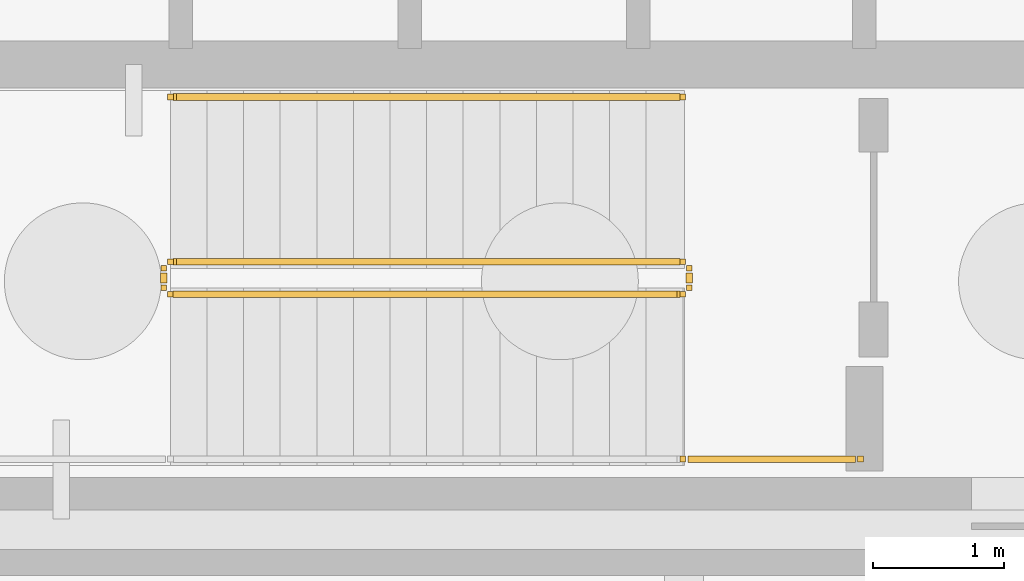
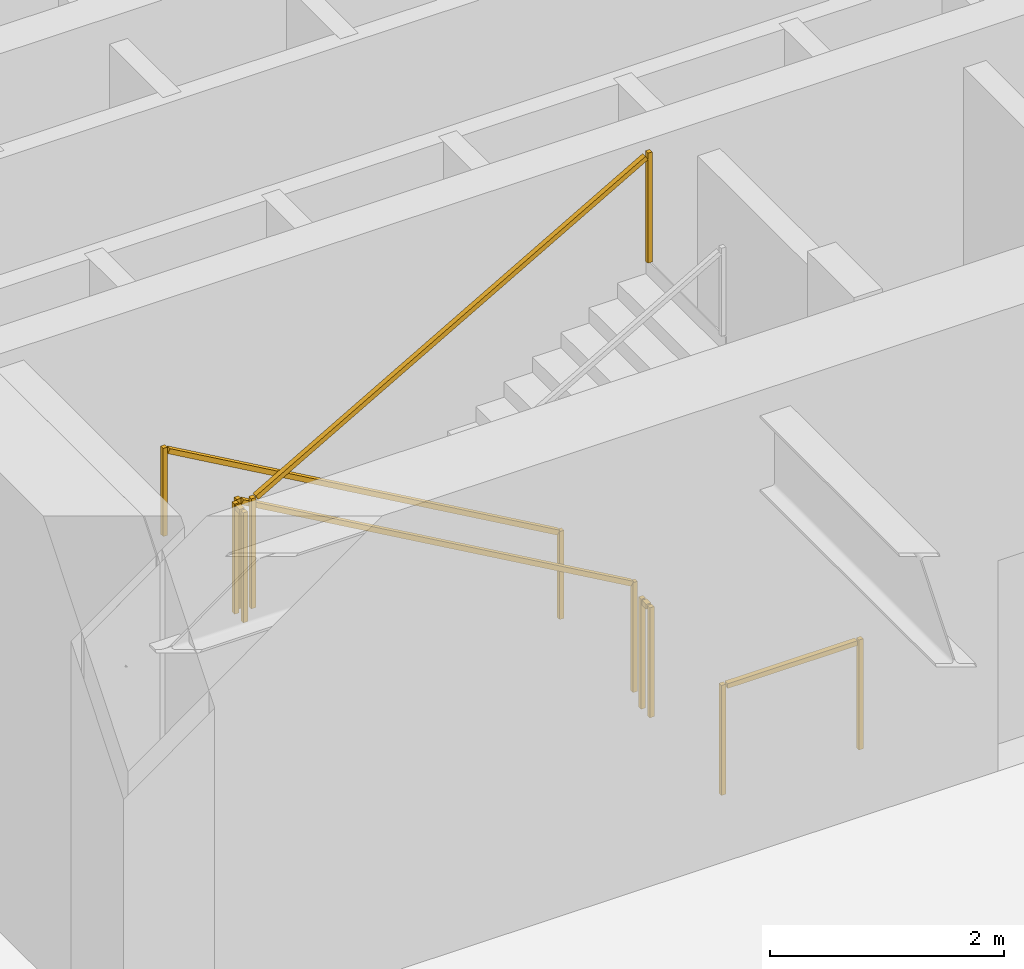
# One storey, part 10 of 14: 6 railings.
"""IFC4 building model written with IfcOpenShell, lengths in metres."""

from ifc_helpers import new_model, si_unit, direction, frame, origin, origin_2d, place, context, subcontext, project, spatial, rectangle, extrude, material, type_object, element, save


model = new_model("IFC4")

# Units and contexts
model_context = context("Model", 3, precision=1e-05, world=origin(), true_north=direction((0.0, 1.0)))
body_context = subcontext(model_context, "Body", "Model", "MODEL_VIEW")
ifc_project = project(units=[si_unit("LENGTHUNIT", "METRE"), si_unit("AREAUNIT", "SQUARE_METRE"), si_unit("VOLUMEUNIT", "CUBIC_METRE"), si_unit("PLANEANGLEUNIT", "RADIAN"), si_unit("MASSUNIT", "GRAM", prefix="KILO")], contexts=[model_context])

# Site, building, storey
site_placement = place(None, origin())
site = spatial("IfcSite", under=ifc_project, at=site_placement, CompositionType="ELEMENT")
building_placement = place(site_placement, origin())
building = spatial("IfcBuilding", under=site, at=building_placement, Name="Yunling Apex Tower", CompositionType="ELEMENT")
storey_placement = place(building_placement, frame((0.0, 0.0, -9.60009765625)))
storey = spatial("IfcBuildingStorey", under=building, at=storey_placement, Name="B02", CompositionType="ELEMENT", Elevation=-9.60009765625)

# Railings
ifc_material_1 = material(Name="Steel Q355B", Category="steel")
railing_type_1 = type_object("IfcRailingType", Name="RL-GRD-1150", PredefinedType="GUARDRAIL", material=ifc_material_1)
railing_1_placement = place(storey_placement, frame((-0.010009765625, -3.449951171875, 0.16015625)))
element("IfcRailing", 1, at=railing_1_placement, inside=storey, type_object=railing_type_1, Name="B02 ST-2 stair guard 1", PredefinedType="GUARDRAIL", context=body_context, shape_type="SweptSolid", body=[
    extrude(rectangle(XDim=0.0439453125, YDim=0.0439453125, at=origin_2d()), origin(), (0.0, 0.0, 1.0), 1.14990234375),
    extrude(rectangle(XDim=0.0439453125, YDim=0.0439453125, at=origin_2d()), frame((-3.919921875, 0.0, 2.239990234375)), (0.0, 0.0, 1.0), 1.14990234375),
    extrude(rectangle(XDim=0.050048828125, YDim=0.050048828125, at=origin_2d()), frame((-0.033203125, 0.0, 1.143798828125), z_axis=(-0.868239814368, 0.0, 0.496144761885), x_axis=(0.0, -1.0, 0.0)), (0.0, 0.0, 1.0), 4.438232421875),
])
railing_2_placement = place(storey_placement, frame((-3.97998046875, -3.5, 2.400146484375)))
element("IfcRailing", 2, at=railing_2_placement, inside=storey, type_object=railing_type_1, Name="B02 ST-2 stair guard 2", PredefinedType="GUARDRAIL", context=body_context, shape_type="SweptSolid", body=[
    extrude(rectangle(XDim=0.0439453125, YDim=0.0439453125, at=origin_2d()), origin(), (0.0, 0.0, 1.0), 1.14990234375),
    extrude(rectangle(XDim=0.0439453125, YDim=0.0439453125, at=origin_2d()), frame((0.0, -0.14990234375, 0.0)), (0.0, 0.0, 1.0), 1.14990234375),
    extrude(rectangle(XDim=0.050048828125, YDim=0.050048828125, at=origin_2d()), frame((0.0, -0.038330078125, 1.125), z_axis=(0.0, -1.0, 0.0), x_axis=(1.0, 0.0, 0.0)), (0.0, 0.0, 1.0), 0.0732421875),
])
railing_3_placement = place(storey_placement, frame((-3.929931640625, -3.699951171875, 2.56005859375)))
element("IfcRailing", 3, at=railing_3_placement, inside=storey, type_object=railing_type_1, Name="B02 ST-2 stair guard 4", PredefinedType="GUARDRAIL", context=body_context, shape_type="SweptSolid", body=[
    extrude(rectangle(XDim=0.0439453125, YDim=0.0439453125, at=origin_2d()), origin(), (0.0, 0.0, 1.0), 1.14990234375),
    extrude(rectangle(XDim=0.0439453125, YDim=0.0439453125, at=origin_2d()), frame((3.919921875, 0.0, 2.239990234375)), (0.0, 0.0, 1.0), 1.14990234375),
    extrude(rectangle(XDim=0.050048828125, YDim=0.050048828125, at=origin_2d()), frame((0.033203125, 0.0, 1.143798828125), z_axis=(0.868239814368, 0.0, 0.496144761885), x_axis=(0.0, 1.0, 0.0)), (0.0, 0.0, 1.0), 4.438232421875),
])
railing_4_placement = place(storey_placement, frame((0.0400390625, -3.5, 0.0)))
element("IfcRailing", 4, at=railing_4_placement, inside=storey, type_object=railing_type_1, Name="B02 ST-2 stair guard 5", PredefinedType="GUARDRAIL", context=body_context, shape_type="SweptSolid", body=[
    extrude(rectangle(XDim=0.0439453125, YDim=0.0439453125, at=origin_2d()), origin(), (0.0, 0.0, 1.0), 1.14990234375),
    extrude(rectangle(XDim=0.0439453125, YDim=0.0439453125, at=origin_2d()), frame((0.0, -0.14990234375, 0.0)), (0.0, 0.0, 1.0), 1.14990234375),
    extrude(rectangle(XDim=0.050048828125, YDim=0.050048828125, at=origin_2d()), frame((0.0, -0.038330078125, 1.125), z_axis=(0.0, -1.0, 0.0), x_axis=(1.0, 0.0, 0.0)), (0.0, 0.0, 1.0), 0.0732421875),
])
railing_5_placement = place(storey_placement, frame((1.35009765625, -4.9599609375, 0.0)))
element("IfcRailing", 5, at=railing_5_placement, inside=storey, type_object=railing_type_1, Name="B02 ST-2 stair guard 6", PredefinedType="GUARDRAIL", context=body_context, shape_type="SweptSolid", body=[
    extrude(rectangle(XDim=0.0439453125, YDim=0.0439453125, at=origin_2d()), origin(), (0.0, 0.0, 1.0), 1.14990234375),
    extrude(rectangle(XDim=0.0439453125, YDim=0.0439453125, at=origin_2d()), frame((-1.360107421875, 0.0, 0.0)), (0.0, 0.0, 1.0), 1.14990234375),
    extrude(rectangle(XDim=0.050048828125, YDim=0.050048828125, at=origin_2d()), frame((-0.038330078125, 0.0, 1.125), z_axis=(-1.0, 0.0, 0.0), x_axis=(0.0, -1.0, 0.0)), (0.0, 0.0, 1.0), 1.283447265625),
])
ifc_material_2 = material(Name="Silver anodised aluminium", Category="aluminium")
railing_type_2 = type_object("IfcRailingType", Name="RL-HND-900", PredefinedType="HANDRAIL", material=ifc_material_2)
railing_6_placement = place(storey_placement, frame((-0.010009765625, -2.18994140625, 0.16015625)))
element("IfcRailing", 6, at=railing_6_placement, inside=storey, type_object=railing_type_2, Name="B02 ST-2 stair handrail 1", PredefinedType="HANDRAIL", context=body_context, shape_type="SweptSolid", body=[
    extrude(rectangle(XDim=0.0439453125, YDim=0.0439453125, at=origin_2d()), origin(), (0.0, 0.0, 1.0), 0.919921875),
    extrude(rectangle(XDim=0.0439453125, YDim=0.0439453125, at=origin_2d()), frame((-3.919921875, 0.0, 2.239990234375)), (0.0, 0.0, 1.0), 0.919921875),
    extrude(rectangle(XDim=0.050048828125, YDim=0.050048828125, at=origin_2d()), frame((-0.033203125, 0.0, 0.913818359375), z_axis=(-0.868239814368, 0.0, 0.496144761885), x_axis=(0.0, -1.0, 0.0)), (0.0, 0.0, 1.0), 4.438232421875),
])

save(model, "model.ifc")
